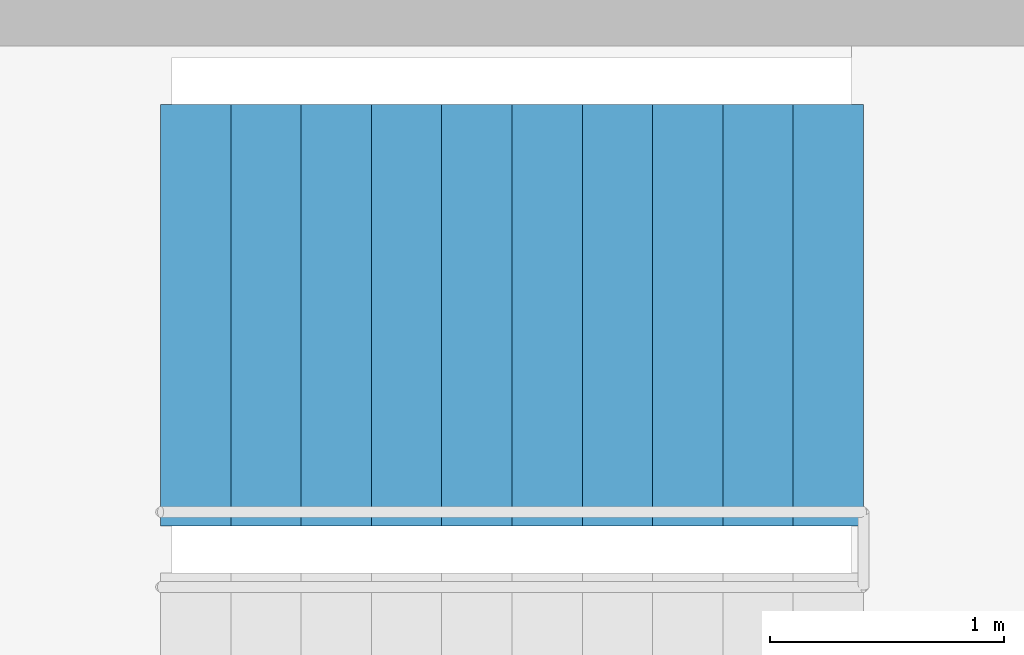
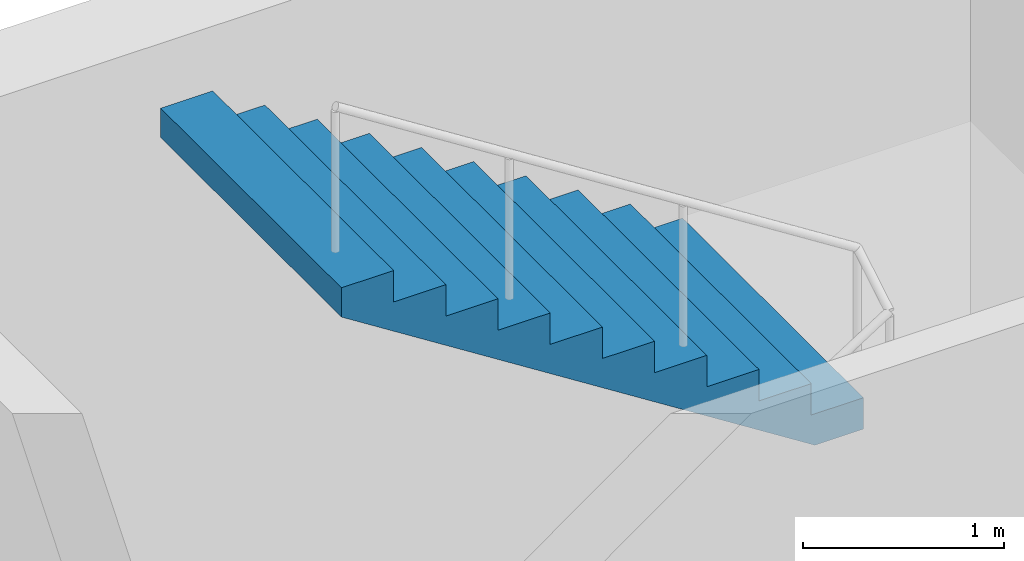
# One storey, part 13 of 16: 1 stair flight, 1 element without a shape of its own.
"""IFC4 building model written with IfcOpenShell, lengths in metres."""

from ifc_helpers import new_model, si_unit, direction, frame, origin, place, context, subcontext, project, spatial, polyline, outline, extrude, material, type_object, element, aggregate, save


model = new_model("IFC4")

# Units and contexts
model_context = context("Model", 3, precision=1e-05, world=origin(), true_north=direction((0.0, 1.0)))
body_context = subcontext(model_context, "Body", "Model", "MODEL_VIEW")
ifc_project = project(units=[si_unit("LENGTHUNIT", "METRE"), si_unit("AREAUNIT", "SQUARE_METRE"), si_unit("VOLUMEUNIT", "CUBIC_METRE"), si_unit("PLANEANGLEUNIT", "RADIAN"), si_unit("MASSUNIT", "GRAM", prefix="KILO")], contexts=[model_context])

# Site, building, storey
site_placement = place(None, origin())
site = spatial("IfcSite", under=ifc_project, at=site_placement, CompositionType="ELEMENT")
building_placement = place(site_placement, origin())
building = spatial("IfcBuilding", under=site, at=building_placement, Name="Crosswind Convention Tower", CompositionType="ELEMENT")
storey_placement = place(building_placement, frame((0.0, 0.0, 287.10009765625)))
storey = spatial("IfcBuildingStorey", under=building, at=storey_placement, Name="L62", CompositionType="ELEMENT", Elevation=287.10009765625)

# Stair, stair flight
ifc_material = material(Name="Concrete C40/50", Category="concrete")
stair_type = type_object("IfcStairType", Name="Exit stair 1800 wide, 2 flights of 11 risers", PredefinedType="HALF_TURN_STAIR", material=ifc_material)
stair_placement = place(storey_placement, origin())
stair = element("IfcStair", 1, at=stair_placement, inside=storey, type_object=stair_type, Name="Exit stair ST1 L62", ObjectType="ST5", PredefinedType="HALF_TURN_STAIR")
stair_flight_type = type_object("IfcStairFlightType", Name="Stair flight 1800 wide, 11 risers (SF4)", PredefinedType="STRAIGHT", material=ifc_material)
stair_flight_placement = place(storey_placement, frame((142.10009765625, 110.60009765625, 2.099853515625), z_axis=(0.0, 0.0, 1.0), x_axis=(-1.0, 0.0, 0.0)))
stair_flight = element("IfcStairFlight", 2, at=stair_flight_placement, type_object=stair_flight_type, Name="ST1 flight 2", NumberOfRisers=11, NumberOfTreads=10, PredefinedType="STRAIGHT", RiserHeight=0.190909091, TreadLength=0.3, context=body_context, shape_type="SweptSolid", body=[
    extrude(outline(polyline([(0.0, 0.0), (0.0, 0.19091796875), (0.300048828125, 0.19091796875), (0.300048828125, 0.3818359375), (0.60009765625, 0.3818359375), (0.60009765625, 0.57275390625), (0.89990234375, 0.57275390625), (0.89990234375, 0.763671875), (1.199951171875, 0.763671875), (1.199951171875, 0.95458984375), (1.5, 0.95458984375), (1.5, 1.1455078125), (1.800048828125, 1.1455078125), (1.800048828125, 1.33642578125), (2.10009765625, 1.33642578125), (2.10009765625, 1.52734375), (2.39990234375, 1.52734375), (2.39990234375, 1.71826171875), (2.699951171875, 1.71826171875), (2.699951171875, 1.9091796875), (3.0, 1.9091796875), (3.0, 2.10009765625), (3.0, 1.7314453125), (0.279296875, 0.0), (0.0, 0.0)])), frame((0.0, 0.89990234375, 0.0), z_axis=(0.0, -1.0, 0.0), x_axis=(1.0, 0.0, 0.0)), (0.0, 0.0, 1.0), 1.800048828125),
])
aggregate(stair, [stair_flight])

save(model, "model.ifc")
